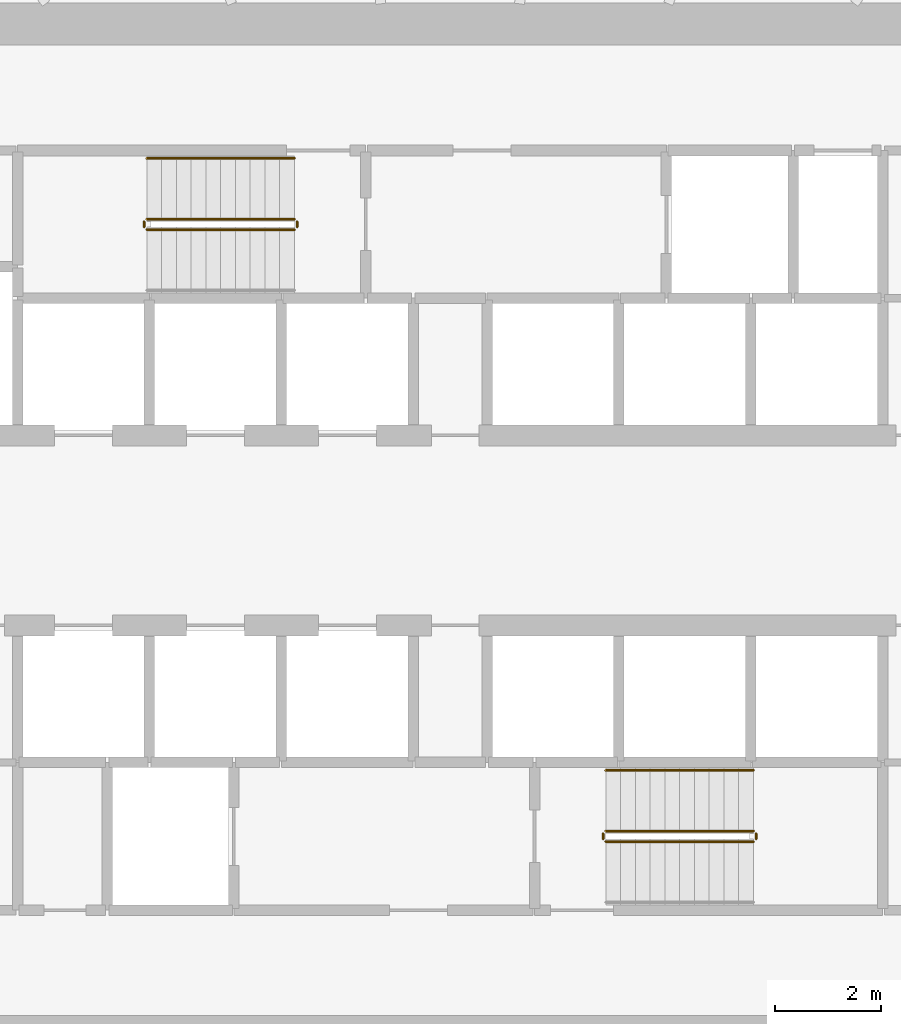
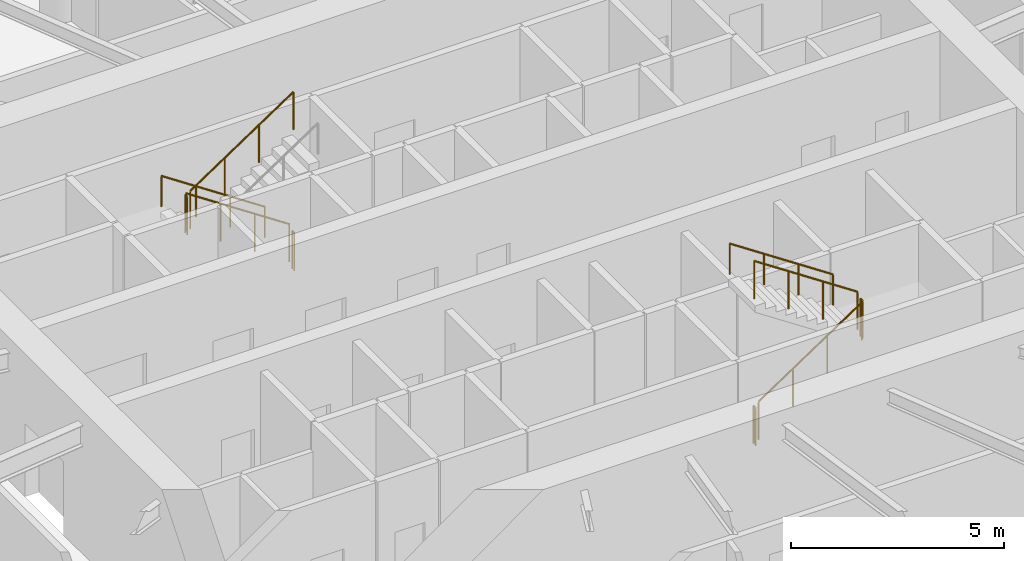
# One storey, part 16 of 17: 10 railings.
"""IFC4 building model written with IfcOpenShell, lengths in metres."""

import ifcopenshell
import ifcopenshell.guid

model = None  # the IFC model being written
_history = None  # IfcOwnerHistory: only IFC2X3 demands one
_inside = {}  # id of a spatial element -> (the spatial element, [elements in it])
_under = {}  # id of a project, library or spatial element -> (it, [spatial elements below it])
_declared = {}  # id of a project -> (the project, [libraries it declares])
_typed = {}  # id of a type object -> (the type object, [elements of that type])
_made_of = {}  # id of a material, layer set ... -> (it, [elements and type objects made of it])


def new_model(schema):
    """Start an empty IFC model of exactly this schema.

    Asked for "IFC4X3", IfcOpenShell would pick the latest addendum, in which some entities
    have other attributes; the version numbers below select the first issue.
    IFC2X3 requires an IfcOwnerHistory on every rooted entity: one is made here for all.
    """
    global model, _history
    if schema == "IFC4X3":
        model = ifcopenshell.file(schema_version=(4, 3, 0, 0))
    else:
        model = ifcopenshell.file(schema=schema)
    _inside.clear()
    _under.clear()
    _declared.clear()
    _typed.clear()
    _made_of.clear()
    _history = None
    if model.schema == "IFC2X3":
        org = make("IfcOrganization", Name="unknown")
        user = make(
            "IfcPersonAndOrganization",
            ThePerson=make("IfcPerson", FamilyName="unknown"),
            TheOrganization=org,
        )
        app = make(
            "IfcApplication",
            ApplicationDeveloper=org,
            Version="unknown",
            ApplicationFullName="unknown",
            ApplicationIdentifier="unknown",
        )
        _history = make(
            "IfcOwnerHistory",
            OwningUser=user,
            OwningApplication=app,
            ChangeAction="ADDED",
            CreationDate=0,
        )
    return model


def make(cls, **values):
    """One entity of the class cls with the attributes given. An attribute that is None is left unset."""
    return model.create_entity(
        cls, **{name: value for name, value in values.items() if value is not None}
    )


def rooted(cls, **values):
    """An entity with a GlobalId (a new one), such as an element, a storey or a relation."""
    return make(cls, GlobalId=ifcopenshell.guid.new(), OwnerHistory=_history, **values)


def si_unit(unit_type, name, prefix=None):
    """IfcSIUnit, for example si_unit("LENGTHUNIT", "METRE", prefix="MILLI")."""
    return make("IfcSIUnit", UnitType=unit_type, Prefix=prefix, Name=name)


def assignment(units):
    """IfcUnitAssignment: the units of a project."""
    return None if units is None else make("IfcUnitAssignment", Units=units)


def point(xyz):
    """IfcCartesianPoint."""
    return None if xyz is None else make("IfcCartesianPoint", Coordinates=xyz)


def direction(xyz):
    """IfcDirection."""
    return None if xyz is None else make("IfcDirection", DirectionRatios=xyz)


def frame(location, z_axis=None, x_axis=None):
    """IfcAxis2Placement3D, a coordinate frame: its origin and axes. An axis left out is left unset."""
    return make(
        "IfcAxis2Placement3D",
        Location=point(location),
        Axis=direction(z_axis),
        RefDirection=direction(x_axis),
    )


def frame_2d(location, x_axis=None):
    """IfcAxis2Placement2D, a coordinate frame in the plane: its origin and x axis."""
    return make(
        "IfcAxis2Placement2D", Location=point(location), RefDirection=direction(x_axis)
    )


def origin():
    """The frame at (0, 0, 0) with its axes left unset."""
    return frame((0.0, 0.0, 0.0))


def origin_2d():
    """The frame at (0, 0) in the plane with its x axis left unset."""
    return frame_2d((0.0, 0.0))


def place(relative_to, where):
    """IfcLocalPlacement: puts the frame where relative to a parent placement (None: the world)."""
    return make(
        "IfcLocalPlacement", PlacementRelTo=relative_to, RelativePlacement=where
    )


def context(
    kind, dimensions, precision=None, world=None, true_north=None, identifier=None
):
    """IfcGeometricRepresentationContext, for example the 3D "Model" context."""
    return make(
        "IfcGeometricRepresentationContext",
        ContextIdentifier=identifier,
        ContextType=kind,
        CoordinateSpaceDimension=dimensions,
        Precision=precision,
        WorldCoordinateSystem=world,
        TrueNorth=true_north,
    )


def subcontext(parent, identifier, kind, view, scale=None):
    """IfcGeometricRepresentationSubContext, for example "Body" below "Model"."""
    return make(
        "IfcGeometricRepresentationSubContext",
        ContextIdentifier=identifier,
        ContextType=kind,
        ParentContext=parent,
        TargetScale=scale,
        TargetView=view,
    )


def project(units=None, contexts=None):
    """IfcProject with its units and contexts."""
    return rooted(
        "IfcProject",
        Name="project",
        RepresentationContexts=contexts,
        UnitsInContext=assignment(units),
    )


def spatial(cls, under=None, at=None, **own):
    """A site, building, storey or space (cls), placed at a placement, below another one or the project."""
    s = rooted(cls, ObjectPlacement=at, **own)
    if under is not None:
        _under.setdefault(under.id(), (under, []))[1].append(s)
    return s


def profile(cls, at=None, kind="AREA", **sizes):
    """A parametric profile (cls). Its sizes go by their IFC names, for example OverallWidth=200.0."""
    return make(cls, ProfileType=kind, Position=at, **sizes)


def circle(**sizes):
    """IfcCircleProfileDef."""
    return profile("IfcCircleProfileDef", **sizes)


def extrude(swept, where, along, depth):
    """IfcExtrudedAreaSolid: the profile swept, set in the frame where, extruded along a direction by depth."""
    return make(
        "IfcExtrudedAreaSolid",
        SweptArea=swept,
        Position=where,
        ExtrudedDirection=direction(along),
        Depth=depth,
    )


def shape(context_of_items, identifier, shape_type, items):
    """IfcShapeRepresentation: the items that make up one representation, for example the "Body"."""
    return make(
        "IfcShapeRepresentation",
        ContextOfItems=context_of_items,
        RepresentationIdentifier=identifier,
        RepresentationType=shape_type,
        Items=items,
    )


def material(Name=None, Category=None):
    """IfcMaterial."""
    return make("IfcMaterial", Name=Name, Category=Category)


def made_of(thing, what):
    """Note that an element or type object is made of a material, layer set ...; save() writes the relation."""
    if what is not None:
        _made_of.setdefault(what.id(), (what, []))[1].append(thing)
    return thing


def type_object(cls, material=None, **own):
    """A type object (cls), such as IfcWallType, which elements share."""
    return made_of(rooted(cls, **own), material)


def element(
    cls,
    number,
    at=None,
    inside=None,
    cuts=None,
    type_object=None,
    material=None,
    context=None,
    identifier="Body",
    shape_type=None,
    held_by="IfcProductDefinitionShape",
    body=None,
    shapes=None,
    **own,
):
    """One element of the class cls, such as IfcWall. Its Tag is "e" and its number.

    at: its placement. inside: the storey or other place that contains it. cuts: it is an
    opening in that element (IfcRelVoidsElement). A single representation is given by context,
    identifier, shape_type and body (its items); several are given by shapes. held_by: the class
    of the entity that holds the representations. save() writes the other relations.
    """
    e = rooted(cls, Tag="e%d" % number, ObjectPlacement=at, **own)
    if body is not None:
        shapes = [shape(context, identifier, shape_type, body)]
    if shapes is not None:
        e.Representation = make(held_by, Representations=shapes)
    if inside is not None:
        _inside.setdefault(inside.id(), (inside, []))[1].append(e)
    if cuts is not None:
        rooted(
            "IfcRelVoidsElement", RelatingBuildingElement=cuts, RelatedOpeningElement=e
        )
    if type_object is not None:
        _typed.setdefault(type_object.id(), (type_object, []))[1].append(e)
    return made_of(e, material)


def aggregate(whole, parts):
    """IfcRelAggregates: a whole, such as a stair, and the parts it consists of."""
    return rooted("IfcRelAggregates", RelatingObject=whole, RelatedObjects=parts)


def save(model, path):
    """Write the relations noted so far, then the file.

    IfcRelAggregates (storeys below a building ...), IfcRelContainedInSpatialStructure (elements
    in a storey), IfcRelDefinesByType, IfcRelAssociatesMaterial and IfcRelDeclares: one each for
    every whole, place, type object, material and project.
    """
    for whole, parts in _under.values():
        aggregate(whole, parts)
    for where, things in _inside.values():
        rooted(
            "IfcRelContainedInSpatialStructure",
            RelatedElements=things,
            RelatingStructure=where,
        )
    for kind, things in _typed.values():
        rooted("IfcRelDefinesByType", RelatedObjects=things, RelatingType=kind)
    for what, things in _made_of.values():
        rooted("IfcRelAssociatesMaterial", RelatedObjects=things, RelatingMaterial=what)
    for by, libraries in _declared.values():
        rooted("IfcRelDeclares", RelatingContext=by, RelatedDefinitions=libraries)
    model.write(path)


model = new_model("IFC4")

# Units and contexts
model_context = context("Model", 3, precision=1e-05, world=origin(), true_north=direction((0.0, 1.0)))
body_context = subcontext(model_context, "Body", "Model", "MODEL_VIEW")
ifc_project = project(units=[si_unit("LENGTHUNIT", "METRE"), si_unit("AREAUNIT", "SQUARE_METRE"), si_unit("VOLUMEUNIT", "CUBIC_METRE"), si_unit("PLANEANGLEUNIT", "RADIAN"), si_unit("MASSUNIT", "GRAM", prefix="KILO")], contexts=[model_context])

# Site, building, storey
site_placement = place(None, origin())
site = spatial("IfcSite", under=ifc_project, at=site_placement, CompositionType="ELEMENT")
building_placement = place(site_placement, origin())
building = spatial("IfcBuilding", under=site, at=building_placement, Name="Spindrift Exchange Tower", CompositionType="ELEMENT")
storey_placement = place(building_placement, frame((0.0, 0.0, 92.10009765625)))
storey = spatial("IfcBuildingStorey", under=building, at=storey_placement, Name="L21", CompositionType="ELEMENT", Elevation=92.10009765625)

# Railings
ifc_material_1 = material(Name="Steel balustrade", Category="steel")
railing_type_1 = type_object("IfcRailingType", Name="RL-STAIR-GUARD", PredefinedType="GUARDRAIL", material=ifc_material_1)
railing_1_placement = place(storey_placement, frame((49.050048828125, 53.89990234375, 0.186279296875)))
element("IfcRailing", 1, at=railing_1_placement, inside=storey, type_object=railing_type_1, Name="L21 ST1 stair guard 1", PredefinedType="GUARDRAIL", context=body_context, shape_type="SweptSolid", body=[
    extrude(circle(Radius=0.02392578125, at=origin_2d()), frame((0.0, 0.0, 1.076171875), z_axis=(-0.832485552168, 0.0, 0.554046753832), x_axis=(0.0, -1.0, 0.0)), (0.0, 0.0, 1.0), 3.363525390625),
    extrude(circle(Radius=0.02099609375, at=origin_2d()), origin(), (0.0, 0.0, 1.0), 1.052001953125),
    extrude(circle(Radius=0.02099609375, at=origin_2d()), frame((-0.933349609375, 0.0, 0.62109375)), (0.0, 0.0, 1.0), 1.052001953125),
    extrude(circle(Radius=0.02099609375, at=origin_2d()), frame((-1.86669921875, 0.0, 1.242431640625)), (0.0, 0.0, 1.0), 1.052001953125),
    extrude(circle(Radius=0.02099609375, at=origin_2d()), frame((-2.800048828125, 0.0, 1.863525390625)), (0.0, 0.0, 1.0), 1.052001953125),
])
railing_2_placement = place(storey_placement, frame((46.199951171875, 53.85009765625, 2.0498046875)))
element("IfcRailing", 2, at=railing_2_placement, inside=storey, type_object=railing_type_1, Name="L21 ST1 stair guard 2", PredefinedType="GUARDRAIL", context=body_context, shape_type="SweptSolid", body=[
    extrude(circle(Radius=0.02392578125, at=origin_2d()), frame((0.0, 0.0, 1.076171875), z_axis=(0.0, -1.0, 0.0), x_axis=(1.0, 0.0, 0.0)), (0.0, 0.0, 1.0), 0.10009765625),
    extrude(circle(Radius=0.02099609375, at=origin_2d()), origin(), (0.0, 0.0, 1.0), 1.052001953125),
    extrude(circle(Radius=0.02099609375, at=origin_2d()), frame((0.0, -0.10009765625, 0.0)), (0.0, 0.0, 1.0), 1.052001953125),
])
railing_3_placement = place(storey_placement, frame((46.25, 53.699951171875, 2.236328125)))
element("IfcRailing", 3, at=railing_3_placement, inside=storey, type_object=railing_type_1, Name="L21 ST1 stair guard 3", PredefinedType="GUARDRAIL", context=body_context, shape_type="SweptSolid", body=[
    extrude(circle(Radius=0.02392578125, at=origin_2d()), frame((0.0, 0.0, 1.076171875), z_axis=(0.832485552168, 0.0, 0.554046753832), x_axis=(0.0, 1.0, 0.0)), (0.0, 0.0, 1.0), 3.363525390625),
    extrude(circle(Radius=0.02099609375, at=origin_2d()), origin(), (0.0, 0.0, 1.0), 1.052001953125),
    extrude(circle(Radius=0.02099609375, at=origin_2d()), frame((0.933349609375, 0.0, 0.62109375)), (0.0, 0.0, 1.0), 1.052001953125),
    extrude(circle(Radius=0.02099609375, at=origin_2d()), frame((1.86669921875, 0.0, 1.242431640625)), (0.0, 0.0, 1.0), 1.052001953125),
    extrude(circle(Radius=0.02099609375, at=origin_2d()), frame((2.800048828125, 0.0, 1.863525390625)), (0.0, 0.0, 1.0), 1.052001953125),
])
railing_4_placement = place(storey_placement, frame((49.10009765625, 53.85009765625, 0.0)))
element("IfcRailing", 4, at=railing_4_placement, inside=storey, type_object=railing_type_1, Name="L21 ST1 stair guard 4", PredefinedType="GUARDRAIL", context=body_context, shape_type="SweptSolid", body=[
    extrude(circle(Radius=0.02392578125, at=origin_2d()), frame((0.0, 0.0, 1.076171875), z_axis=(0.0, -1.0, 0.0), x_axis=(1.0, 0.0, 0.0)), (0.0, 0.0, 1.0), 0.10009765625),
    extrude(circle(Radius=0.02099609375, at=origin_2d()), origin(), (0.0, 0.0, 1.0), 1.052001953125),
    extrude(circle(Radius=0.02099609375, at=origin_2d()), frame((0.0, -0.10009765625, 0.0)), (0.0, 0.0, 1.0), 1.052001953125),
])
railing_5_placement = place(storey_placement, frame((54.949951171875, 42.10009765625, 0.186279296875)))
element("IfcRailing", 5, at=railing_5_placement, inside=storey, type_object=railing_type_1, Name="L21 ST2 stair guard 1", PredefinedType="GUARDRAIL", context=body_context, shape_type="SweptSolid", body=[
    extrude(circle(Radius=0.02392578125, at=origin_2d()), frame((0.0, 0.0, 1.076171875), z_axis=(0.832485552168, 0.0, 0.554046753832), x_axis=(0.0, 1.0, 0.0)), (0.0, 0.0, 1.0), 3.363525390625),
    extrude(circle(Radius=0.02099609375, at=origin_2d()), origin(), (0.0, 0.0, 1.0), 1.052001953125),
    extrude(circle(Radius=0.02099609375, at=origin_2d()), frame((0.933349609375, 0.0, 0.62109375)), (0.0, 0.0, 1.0), 1.052001953125),
    extrude(circle(Radius=0.02099609375, at=origin_2d()), frame((1.86669921875, 0.0, 1.242431640625)), (0.0, 0.0, 1.0), 1.052001953125),
    extrude(circle(Radius=0.02099609375, at=origin_2d()), frame((2.800048828125, 0.0, 1.863525390625)), (0.0, 0.0, 1.0), 1.052001953125),
])
railing_6_placement = place(storey_placement, frame((57.800048828125, 42.14990234375, 2.0498046875)))
element("IfcRailing", 6, at=railing_6_placement, inside=storey, type_object=railing_type_1, Name="L21 ST2 stair guard 2", PredefinedType="GUARDRAIL", context=body_context, shape_type="SweptSolid", body=[
    extrude(circle(Radius=0.02392578125, at=origin_2d()), frame((0.0, 0.0, 1.076171875), z_axis=(0.0, 1.0, 0.0), x_axis=(-1.0, 0.0, 0.0)), (0.0, 0.0, 1.0), 0.10009765625),
    extrude(circle(Radius=0.02099609375, at=origin_2d()), origin(), (0.0, 0.0, 1.0), 1.052001953125),
    extrude(circle(Radius=0.02099609375, at=origin_2d()), frame((0.0, 0.10009765625, 0.0)), (0.0, 0.0, 1.0), 1.052001953125),
])
railing_7_placement = place(storey_placement, frame((57.75, 42.300048828125, 2.236328125)))
element("IfcRailing", 7, at=railing_7_placement, inside=storey, type_object=railing_type_1, Name="L21 ST2 stair guard 3", PredefinedType="GUARDRAIL", context=body_context, shape_type="SweptSolid", body=[
    extrude(circle(Radius=0.02392578125, at=origin_2d()), frame((0.0, 0.0, 1.076171875), z_axis=(-0.832485552168, 0.0, 0.554046753832), x_axis=(0.0, -1.0, 0.0)), (0.0, 0.0, 1.0), 3.363525390625),
    extrude(circle(Radius=0.02099609375, at=origin_2d()), origin(), (0.0, 0.0, 1.0), 1.052001953125),
    extrude(circle(Radius=0.02099609375, at=origin_2d()), frame((-0.933349609375, 0.0, 0.62109375)), (0.0, 0.0, 1.0), 1.052001953125),
    extrude(circle(Radius=0.02099609375, at=origin_2d()), frame((-1.86669921875, 0.0, 1.242431640625)), (0.0, 0.0, 1.0), 1.052001953125),
    extrude(circle(Radius=0.02099609375, at=origin_2d()), frame((-2.800048828125, 0.0, 1.863525390625)), (0.0, 0.0, 1.0), 1.052001953125),
])
railing_8_placement = place(storey_placement, frame((54.89990234375, 42.14990234375, 0.0)))
element("IfcRailing", 8, at=railing_8_placement, inside=storey, type_object=railing_type_1, Name="L21 ST2 stair guard 4", PredefinedType="GUARDRAIL", context=body_context, shape_type="SweptSolid", body=[
    extrude(circle(Radius=0.02392578125, at=origin_2d()), frame((0.0, 0.0, 1.076171875), z_axis=(0.0, 1.0, 0.0), x_axis=(-1.0, 0.0, 0.0)), (0.0, 0.0, 1.0), 0.10009765625),
    extrude(circle(Radius=0.02099609375, at=origin_2d()), origin(), (0.0, 0.0, 1.0), 1.052001953125),
    extrude(circle(Radius=0.02099609375, at=origin_2d()), frame((0.0, 0.10009765625, 0.0)), (0.0, 0.0, 1.0), 1.052001953125),
])
ifc_material_2 = material(Name="Steel tubular handrail", Category="steel")
railing_type_2 = type_object("IfcRailingType", Name="RL-STAIR-HAND", PredefinedType="HANDRAIL", material=ifc_material_2)
for number, where, name in (
    (9, (49.050048828125, 55.050048828125, 0.186279296875), "L21 ST1 stair handrail 1"),
    (10, (57.75, 43.449951171875, 2.236328125), "L21 ST2 stair handrail 2"),
):
    element("IfcRailing", number, at=place(storey_placement, frame(where)), inside=storey, type_object=railing_type_2, Name=name, PredefinedType="HANDRAIL", context=body_context, shape_type="SweptSolid", body=[
        extrude(circle(Radius=0.02392578125, at=origin_2d()), frame((0.0, 0.0, 0.8759765625), z_axis=(-0.832485552168, 0.0, 0.554046753832), x_axis=(0.0, -1.0, 0.0)), (0.0, 0.0, 1.0), 3.363525390625),
        extrude(circle(Radius=0.02099609375, at=origin_2d()), origin(), (0.0, 0.0, 1.0), 0.851806640625),
        extrude(circle(Radius=0.02099609375, at=origin_2d()), frame((-0.933349609375, 0.0, 0.62109375)), (0.0, 0.0, 1.0), 0.851806640625),
        extrude(circle(Radius=0.02099609375, at=origin_2d()), frame((-1.86669921875, 0.0, 1.242431640625)), (0.0, 0.0, 1.0), 0.851806640625),
        extrude(circle(Radius=0.02099609375, at=origin_2d()), frame((-2.800048828125, 0.0, 1.863525390625)), (0.0, 0.0, 1.0), 0.851806640625),
    ])

save(model, "model.ifc")
